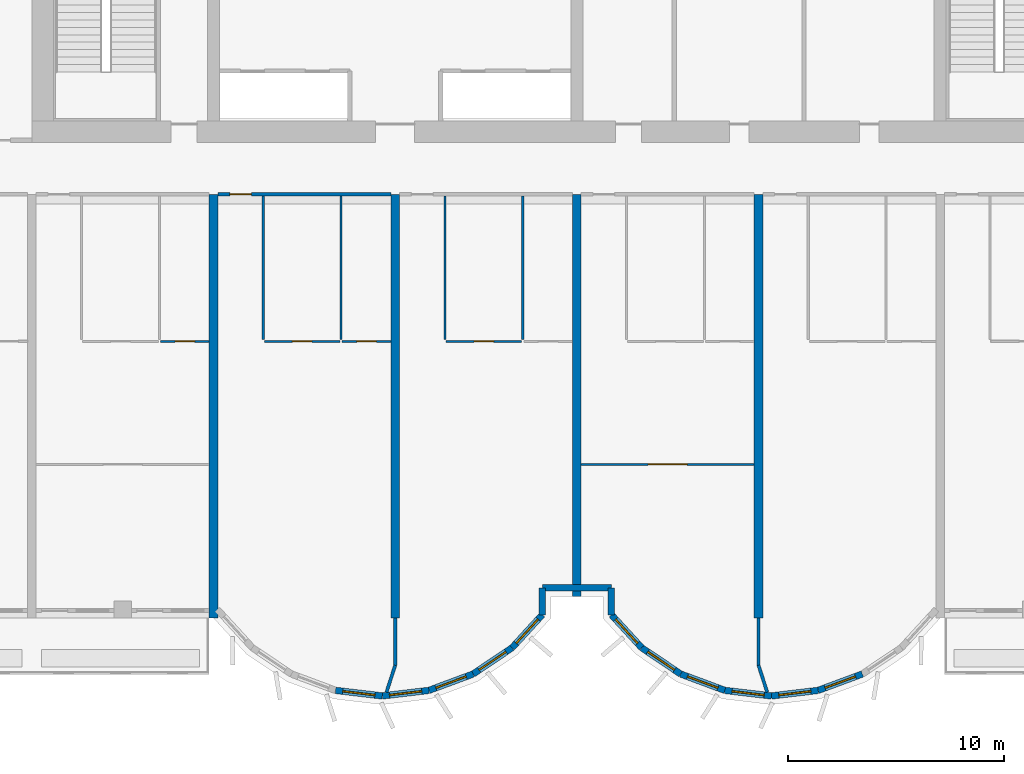
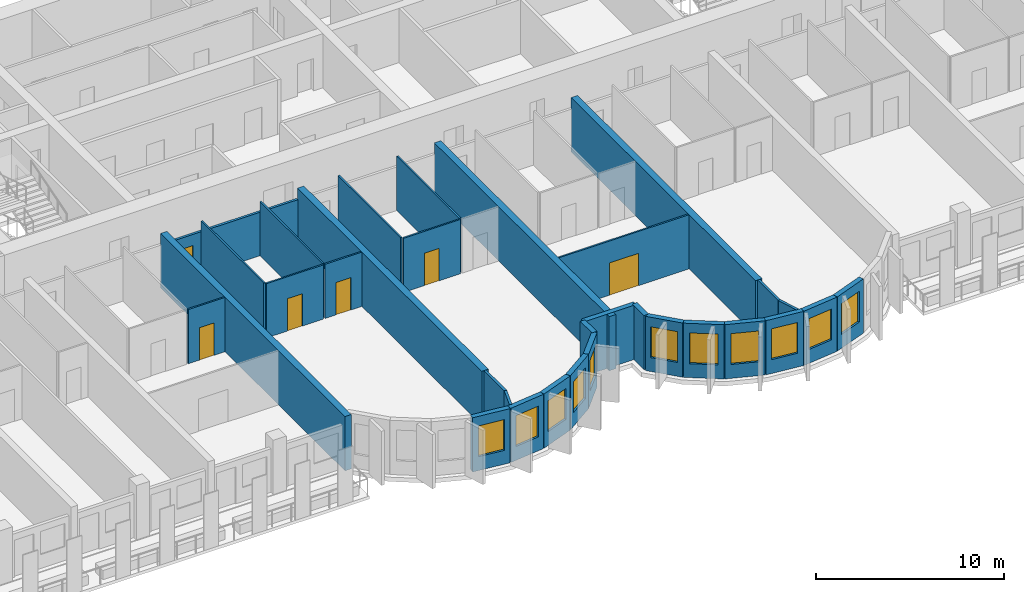
# One storey, part 4 of 15: 32 walls, 11 windows, 6 doors, 17 openings.
"""IFC4 building model written with IfcOpenShell, lengths in metres."""

from ifc_helpers import new_model, si_unit, direction, frame, frame_2d, origin, place, context, subcontext, project, spatial, rectangle, extrude, source, transform, mapped, material, layer, layer_set, type_object, element, fill, save


model = new_model("IFC4")

# Units and contexts
model_context = context("Model", 3, precision=1e-05, world=origin(), true_north=direction((0.0, 1.0)))
body_context = subcontext(model_context, "Body", "Model", "MODEL_VIEW")
ifc_project = project(units=[si_unit("LENGTHUNIT", "METRE"), si_unit("AREAUNIT", "SQUARE_METRE"), si_unit("VOLUMEUNIT", "CUBIC_METRE"), si_unit("PLANEANGLEUNIT", "RADIAN"), si_unit("MASSUNIT", "GRAM", prefix="KILO")], contexts=[model_context])

# Site, building, storey
site_placement = place(None, origin())
site = spatial("IfcSite", under=ifc_project, at=site_placement, CompositionType="ELEMENT")
building_placement = place(site_placement, origin())
building = spatial("IfcBuilding", under=site, at=building_placement, Name="Vanashikhar Sky Hotel", CompositionType="ELEMENT")
storey_placement = place(building_placement, frame((0.0, 0.0, 69.60009765625)))
storey = spatial("IfcBuildingStorey", under=building, at=storey_placement, Name="L16", CompositionType="ELEMENT", Elevation=69.60009765625)

# Walls
ifc_material_1 = material(Name="Concrete M80", Category="concrete")
ifc_layer_1 = layer(ifc_material_1, 0.39990234375)
ifc_layer_set_1 = layer_set([ifc_layer_1], Name="RC shear wall 400 Concrete M80")
wall_type_1 = type_object("IfcWallType", Name="RC shear wall 400 Concrete M80", PredefinedType="SHEAR", material=ifc_layer_set_1)
shared_shape_1 = source(origin(), body_context, "Body", "SweptSolid", [
    extrude(rectangle(XDim=19.60009765625, YDim=0.39990234375, at=frame_2d((9.800048828125, 0.0))), origin(), (0.0, 0.0, 1.0), 3.52001953125),
])
for number, where, z_axis, x_axis, name in (
    (1, (33.60009765625, 0.0, 0.0), (0.0, 0.0, 1.0), (0.0, 1.0, 0.0), "CW-L16-XW05-1"),
    (2, (42.0, 0.0, 0.0), (0.0, 0.0, 1.0), (0.0, 1.0, 0.0), "CW-L16-XW06-1"),
    (3, (58.800048828125, 0.0, 0.0), (0.0, 0.0, 1.0), (0.0, 1.0, 0.0), "CW-L16-XW08-1"),
):
    element("IfcWall", number, at=place(storey_placement, frame(where, z_axis=z_axis, x_axis=x_axis)), inside=storey, type_object=wall_type_1, Name=name, PredefinedType="SHEAR", context=body_context, shape_type="MappedRepresentation", body=[
        mapped(shared_shape_1, transform((0.0, 0.0, 0.0), scale=1.0)),
    ])
shared_shape_2 = source(origin(), body_context, "Body", "SweptSolid", [
    extrude(rectangle(XDim=18.60009765625, YDim=0.39990234375, at=frame_2d((9.300048828125, 0.0))), origin(), (0.0, 0.0, 1.0), 3.52001953125),
])
wall_1_placement = place(storey_placement, frame((50.39990234375, 1.0, 0.0), z_axis=(0.0, 0.0, 1.0), x_axis=(0.0, 1.0, 0.0)))
element("IfcWall", 4, at=wall_1_placement, inside=storey, type_object=wall_type_1, Name="CW-L16-XW07-1", PredefinedType="SHEAR", context=body_context, shape_type="MappedRepresentation", body=[
    mapped(shared_shape_2, transform((0.0, 0.0, 0.0), scale=1.0)),
])

# Wall, opening, window
ifc_material_2 = material(Name="Concrete M50", Category="concrete")
ifc_layer_2 = layer(ifc_material_2, 0.300048828125)
ifc_layer_set_2 = layer_set([ifc_layer_2], Name="Lobe wall 300")
wall_type_2 = type_object("IfcWallType", Name="Lobe wall 300", PredefinedType="SOLIDWALL", material=ifc_layer_set_2)
shared_shape_3 = source(origin(), body_context, "Body", "SweptSolid", [
    extrude(rectangle(XDim=2.17578125, YDim=0.300048828125, at=frame_2d((1.087890625, 0.0))), origin(), (0.0, 0.0, 1.0), 3.52001953125),
])
wall_2_placement = place(storey_placement, frame((45.59912109375, -2.58349609375, 0.0), z_axis=(0.0, 0.0, 1.0), x_axis=(0.829625727223, 0.558319937607, 0.0)))
wall_2 = element("IfcWall", 5, at=wall_2_placement, inside=storey, type_object=wall_type_2, Name="Lobe wall", PredefinedType="SOLIDWALL", context=body_context, shape_type="MappedRepresentation", body=[
    mapped(shared_shape_3, transform((0.0, 0.0, 0.0), scale=1.0)),
])
shared_shape_4 = source(origin(), body_context, "Body", "SweptSolid", [
    extrude(rectangle(XDim=1.5, YDim=2.0, at=frame_2d((0.75, 1.0))), frame((0.0, 0.16015625, 0.0), z_axis=(0.0, -1.0, 0.0), x_axis=(1.0, 0.0, 0.0)), (0.0, 0.0, 1.0), 0.320068359375),
])
opening_1_placement = place(wall_2_placement, frame((0.337890625, 0.0, 0.89990234375)))
opening_1 = element("IfcOpeningElement", 6, at=opening_1_placement, cuts=wall_2, Name="Opening WN-2", PredefinedType="OPENING", context=body_context, shape_type="MappedRepresentation", body=[
    mapped(shared_shape_4, transform((0.0, 0.0, 0.0), scale=1.0)),
])
ifc_material_3 = material(Name="Glass", Category="glass")
window_type = type_object("IfcWindowType", Name="Lobe window 1500 x 2000", PartitioningType="SINGLE_PANEL", PredefinedType="WINDOW", material=ifc_material_3)
shared_shape_5 = source(origin(), body_context, "Body", "SweptSolid", [
    extrude(rectangle(XDim=1.5, YDim=2.0, at=frame_2d((0.75, 1.0))), frame((0.0, 0.030029296875, 0.0), z_axis=(0.0, -1.0, 0.0), x_axis=(1.0, 0.0, 0.0)), (0.0, 0.0, 1.0), 0.06005859375),
])
window_1_placement = place(opening_1_placement, origin())
window_1 = element("IfcWindow", 7, at=window_1_placement, inside=storey, type_object=window_type, Name="Window WN-2", OverallHeight=2.0, OverallWidth=1.5, PartitioningType="SINGLE_PANEL", PredefinedType="WINDOW", context=body_context, shape_type="MappedRepresentation", body=[
    mapped(shared_shape_5, transform((0.0, 0.0, 0.0), scale=1.0)),
])
fill(opening_1, window_1)

wall_3_placement = place(storey_placement, frame((53.395751953125, -1.36865234375, 0.0), z_axis=(0.0, 0.0, 1.0), x_axis=(0.829590746428, -0.558371913192, 0.0)))
wall_3 = element("IfcWall", 8, at=wall_3_placement, inside=storey, type_object=wall_type_2, Name="Lobe wall", PredefinedType="SOLIDWALL", context=body_context, shape_type="MappedRepresentation", body=[
    mapped(shared_shape_3, transform((0.0, 0.0, 0.0), scale=1.0)),
])
opening_2_placement = place(wall_3_placement, frame((0.337890625, 0.0, 0.89990234375)))
opening_2 = element("IfcOpeningElement", 9, at=opening_2_placement, cuts=wall_3, Name="Opening WN-2", PredefinedType="OPENING", context=body_context, shape_type="MappedRepresentation", body=[
    mapped(shared_shape_4, transform((0.0, 0.0, 0.0), scale=1.0)),
])
window_2_placement = place(opening_2_placement, origin())
window_2 = element("IfcWindow", 10, at=window_2_placement, inside=storey, type_object=window_type, Name="Window WN-2", OverallHeight=2.0, OverallWidth=1.5, PartitioningType="SINGLE_PANEL", PredefinedType="WINDOW", context=body_context, shape_type="MappedRepresentation", body=[
    mapped(shared_shape_5, transform((0.0, 0.0, 0.0), scale=1.0)),
])
fill(opening_2, window_2)

wall_4_placement = place(storey_placement, frame((55.20068359375, -2.58349609375, 0.0), z_axis=(0.0, 0.0, 1.0), x_axis=(0.93754555999, -0.347862505801, 0.0)))
wall_4 = element("IfcWall", 11, at=wall_4_placement, inside=storey, type_object=wall_type_2, Name="Lobe wall", PredefinedType="SOLIDWALL", context=body_context, shape_type="MappedRepresentation", body=[
    mapped(shared_shape_3, transform((0.0, 0.0, 0.0), scale=1.0)),
])
opening_3_placement = place(wall_4_placement, frame((0.337890625, 0.0, 0.89990234375)))
opening_3 = element("IfcOpeningElement", 12, at=opening_3_placement, cuts=wall_4, Name="Opening WN-2", PredefinedType="OPENING", context=body_context, shape_type="MappedRepresentation", body=[
    mapped(shared_shape_4, transform((0.0, 0.0, 0.0), scale=1.0)),
])
window_3_placement = place(opening_3_placement, origin())
window_3 = element("IfcWindow", 13, at=window_3_placement, inside=storey, type_object=window_type, Name="Window WN-2", OverallHeight=2.0, OverallWidth=1.5, PartitioningType="SINGLE_PANEL", PredefinedType="WINDOW", context=body_context, shape_type="MappedRepresentation", body=[
    mapped(shared_shape_5, transform((0.0, 0.0, 0.0), scale=1.0)),
])
fill(opening_3, window_3)

shared_shape_6 = source(origin(), body_context, "Body", "SweptSolid", [
    extrude(rectangle(XDim=2.174560546875, YDim=0.300048828125, at=frame_2d((1.08740234375, 0.0))), origin(), (0.0, 0.0, 1.0), 3.52001953125),
])
wall_5_placement = place(storey_placement, frame((39.240478515625, -3.34033203125, 0.0), z_axis=(0.0, 0.0, 1.0), x_axis=(0.993001132889, -0.118104826659, 0.0)))
wall_5 = element("IfcWall", 14, at=wall_5_placement, inside=storey, type_object=wall_type_2, Name="Lobe wall", PredefinedType="SOLIDWALL", context=body_context, shape_type="MappedRepresentation", body=[
    mapped(shared_shape_6, transform((0.0, 0.0, 0.0), scale=1.0)),
])
opening_4_placement = place(wall_5_placement, frame((0.33740234375, 0.0, 0.89990234375)))
opening_4 = element("IfcOpeningElement", 15, at=opening_4_placement, cuts=wall_5, Name="Opening WN-2", PredefinedType="OPENING", context=body_context, shape_type="MappedRepresentation", body=[
    mapped(shared_shape_4, transform((0.0, 0.0, 0.0), scale=1.0)),
])
window_4_placement = place(opening_4_placement, origin())
window_4 = element("IfcWindow", 16, at=window_4_placement, inside=storey, type_object=window_type, Name="Window WN-2", OverallHeight=2.0, OverallWidth=1.5, PartitioningType="SINGLE_PANEL", PredefinedType="WINDOW", context=body_context, shape_type="MappedRepresentation", body=[
    mapped(shared_shape_5, transform((0.0, 0.0, 0.0), scale=1.0)),
])
fill(opening_4, window_4)

wall_6_placement = place(storey_placement, frame((57.240478515625, -3.34033203125, 0.0), z_axis=(0.0, 0.0, 1.0), x_axis=(0.993001132889, -0.118104826659, 0.0)))
wall_6 = element("IfcWall", 17, at=wall_6_placement, inside=storey, type_object=wall_type_2, Name="Lobe wall", PredefinedType="SOLIDWALL", context=body_context, shape_type="MappedRepresentation", body=[
    mapped(shared_shape_6, transform((0.0, 0.0, 0.0), scale=1.0)),
])
opening_5_placement = place(wall_6_placement, frame((0.33740234375, 0.0, 0.89990234375)))
opening_5 = element("IfcOpeningElement", 18, at=opening_5_placement, cuts=wall_6, Name="Opening WN-2", PredefinedType="OPENING", context=body_context, shape_type="MappedRepresentation", body=[
    mapped(shared_shape_4, transform((0.0, 0.0, 0.0), scale=1.0)),
])
window_5_placement = place(opening_5_placement, origin())
window_5 = element("IfcWindow", 19, at=window_5_placement, inside=storey, type_object=window_type, Name="Window WN-2", OverallHeight=2.0, OverallWidth=1.5, PartitioningType="SINGLE_PANEL", PredefinedType="WINDOW", context=body_context, shape_type="MappedRepresentation", body=[
    mapped(shared_shape_5, transform((0.0, 0.0, 0.0), scale=1.0)),
])
fill(opening_5, window_5)

shared_shape_7 = source(origin(), body_context, "Body", "SweptSolid", [
    extrude(rectangle(XDim=2.1748046875, YDim=0.300048828125, at=frame_2d((1.08740234375, 0.0))), origin(), (0.0, 0.0, 1.0), 3.52001953125),
])
wall_7_placement = place(storey_placement, frame((41.39990234375, -3.59716796875, 0.0), z_axis=(0.0, 0.0, 1.0), x_axis=(0.993002698611, 0.118091661648, 0.0)))
wall_7 = element("IfcWall", 20, at=wall_7_placement, inside=storey, type_object=wall_type_2, Name="Lobe wall", PredefinedType="SOLIDWALL", context=body_context, shape_type="MappedRepresentation", body=[
    mapped(shared_shape_7, transform((0.0, 0.0, 0.0), scale=1.0)),
])
opening_6_placement = place(wall_7_placement, frame((0.33740234375, 0.0, 0.89990234375)))
opening_6 = element("IfcOpeningElement", 21, at=opening_6_placement, cuts=wall_7, Name="Opening WN-2", PredefinedType="OPENING", context=body_context, shape_type="MappedRepresentation", body=[
    mapped(shared_shape_4, transform((0.0, 0.0, 0.0), scale=1.0)),
])
window_6_placement = place(opening_6_placement, origin())
window_6 = element("IfcWindow", 22, at=window_6_placement, inside=storey, type_object=window_type, Name="Window WN-2", OverallHeight=2.0, OverallWidth=1.5, PartitioningType="SINGLE_PANEL", PredefinedType="WINDOW", context=body_context, shape_type="MappedRepresentation", body=[
    mapped(shared_shape_5, transform((0.0, 0.0, 0.0), scale=1.0)),
])
fill(opening_6, window_6)

wall_8_placement = place(storey_placement, frame((59.39990234375, -3.59716796875, 0.0), z_axis=(0.0, 0.0, 1.0), x_axis=(0.993002698611, 0.118091661648, 0.0)))
wall_8 = element("IfcWall", 23, at=wall_8_placement, inside=storey, type_object=wall_type_2, Name="Lobe wall", PredefinedType="SOLIDWALL", context=body_context, shape_type="MappedRepresentation", body=[
    mapped(shared_shape_7, transform((0.0, 0.0, 0.0), scale=1.0)),
])
opening_7_placement = place(wall_8_placement, frame((0.33740234375, 0.0, 0.89990234375)))
opening_7 = element("IfcOpeningElement", 24, at=opening_7_placement, cuts=wall_8, Name="Opening WN-2", PredefinedType="OPENING", context=body_context, shape_type="MappedRepresentation", body=[
    mapped(shared_shape_4, transform((0.0, 0.0, 0.0), scale=1.0)),
])
window_7_placement = place(opening_7_placement, origin())
window_7 = element("IfcWindow", 25, at=window_7_placement, inside=storey, type_object=window_type, Name="Window WN-2", OverallHeight=2.0, OverallWidth=1.5, PartitioningType="SINGLE_PANEL", PredefinedType="WINDOW", context=body_context, shape_type="MappedRepresentation", body=[
    mapped(shared_shape_5, transform((0.0, 0.0, 0.0), scale=1.0)),
])
fill(opening_7, window_7)

shared_shape_8 = source(origin(), body_context, "Body", "SweptSolid", [
    extrude(rectangle(XDim=2.175537109375, YDim=0.300048828125, at=frame_2d((1.087890625, 0.0))), origin(), (0.0, 0.0, 1.0), 3.52001953125),
])
wall_9_placement = place(storey_placement, frame((43.5595703125, -3.34033203125, 0.0), z_axis=(0.0, 0.0, 1.0), x_axis=(0.937531979054, 0.347899106424, 0.0)))
wall_9 = element("IfcWall", 26, at=wall_9_placement, inside=storey, type_object=wall_type_2, Name="Lobe wall", PredefinedType="SOLIDWALL", context=body_context, shape_type="MappedRepresentation", body=[
    mapped(shared_shape_8, transform((0.0, 0.0, 0.0), scale=1.0)),
])
opening_8_placement = place(wall_9_placement, frame((0.337890625, 0.0, 0.89990234375)))
opening_8 = element("IfcOpeningElement", 27, at=opening_8_placement, cuts=wall_9, Name="Opening WN-2", PredefinedType="OPENING", context=body_context, shape_type="MappedRepresentation", body=[
    mapped(shared_shape_4, transform((0.0, 0.0, 0.0), scale=1.0)),
])
window_8_placement = place(opening_8_placement, origin())
window_8 = element("IfcWindow", 28, at=window_8_placement, inside=storey, type_object=window_type, Name="Window WN-2", OverallHeight=2.0, OverallWidth=1.5, PartitioningType="SINGLE_PANEL", PredefinedType="WINDOW", context=body_context, shape_type="MappedRepresentation", body=[
    mapped(shared_shape_5, transform((0.0, 0.0, 0.0), scale=1.0)),
])
fill(opening_8, window_8)

wall_10_placement = place(storey_placement, frame((61.5595703125, -3.34033203125, 0.0), z_axis=(0.0, 0.0, 1.0), x_axis=(0.937531979054, 0.347899106424, 0.0)))
wall_10 = element("IfcWall", 29, at=wall_10_placement, inside=storey, type_object=wall_type_2, Name="Lobe wall", PredefinedType="SOLIDWALL", context=body_context, shape_type="MappedRepresentation", body=[
    mapped(shared_shape_8, transform((0.0, 0.0, 0.0), scale=1.0)),
])
opening_9_placement = place(wall_10_placement, frame((0.337890625, 0.0, 0.89990234375)))
opening_9 = element("IfcOpeningElement", 30, at=opening_9_placement, cuts=wall_10, Name="Opening WN-2", PredefinedType="OPENING", context=body_context, shape_type="MappedRepresentation", body=[
    mapped(shared_shape_4, transform((0.0, 0.0, 0.0), scale=1.0)),
])
window_9_placement = place(opening_9_placement, origin())
window_9 = element("IfcWindow", 31, at=window_9_placement, inside=storey, type_object=window_type, Name="Window WN-2", OverallHeight=2.0, OverallWidth=1.5, PartitioningType="SINGLE_PANEL", PredefinedType="WINDOW", context=body_context, shape_type="MappedRepresentation", body=[
    mapped(shared_shape_5, transform((0.0, 0.0, 0.0), scale=1.0)),
])
fill(opening_9, window_9)

shared_shape_9 = source(origin(), body_context, "Body", "SweptSolid", [
    extrude(rectangle(XDim=2.066650390625, YDim=0.300048828125, at=frame_2d((1.033203125, 0.0))), origin(), (0.0, 0.0, 1.0), 3.52001953125),
])
wall_11_placement = place(storey_placement, frame((47.404296875, -1.36865234375, 0.0), z_axis=(0.0, 0.0, 1.0), x_axis=(0.675355439877, 0.737492393065, 0.0)))
wall_11 = element("IfcWall", 32, at=wall_11_placement, inside=storey, type_object=wall_type_2, Name="Lobe wall", PredefinedType="SOLIDWALL", context=body_context, shape_type="MappedRepresentation", body=[
    mapped(shared_shape_9, transform((0.0, 0.0, 0.0), scale=1.0)),
])
opening_10_placement = place(wall_11_placement, frame((0.283447265625, 0.0, 0.89990234375)))
opening_10 = element("IfcOpeningElement", 33, at=opening_10_placement, cuts=wall_11, Name="Opening WN-2", PredefinedType="OPENING", context=body_context, shape_type="MappedRepresentation", body=[
    mapped(shared_shape_4, transform((0.0, 0.0, 0.0), scale=1.0)),
])
window_10_placement = place(opening_10_placement, origin())
window_10 = element("IfcWindow", 34, at=window_10_placement, inside=storey, type_object=window_type, Name="Window WN-2", OverallHeight=2.0, OverallWidth=1.5, PartitioningType="SINGLE_PANEL", PredefinedType="WINDOW", context=body_context, shape_type="MappedRepresentation", body=[
    mapped(shared_shape_5, transform((0.0, 0.0, 0.0), scale=1.0)),
])
fill(opening_10, window_10)

wall_12_placement = place(storey_placement, frame((52.0, 0.155517578125, 0.0), z_axis=(0.0, 0.0, 1.0), x_axis=(0.675355439877, -0.737492393065, 0.0)))
wall_12 = element("IfcWall", 35, at=wall_12_placement, inside=storey, type_object=wall_type_2, Name="Lobe wall", PredefinedType="SOLIDWALL", context=body_context, shape_type="MappedRepresentation", body=[
    mapped(shared_shape_9, transform((0.0, 0.0, 0.0), scale=1.0)),
])
opening_11_placement = place(wall_12_placement, frame((0.283447265625, 0.0, 0.89990234375)))
opening_11 = element("IfcOpeningElement", 36, at=opening_11_placement, cuts=wall_12, Name="Opening WN-2", PredefinedType="OPENING", context=body_context, shape_type="MappedRepresentation", body=[
    mapped(shared_shape_4, transform((0.0, 0.0, 0.0), scale=1.0)),
])
window_11_placement = place(opening_11_placement, origin())
window_11 = element("IfcWindow", 37, at=window_11_placement, inside=storey, type_object=window_type, Name="Window WN-2", OverallHeight=2.0, OverallWidth=1.5, PartitioningType="SINGLE_PANEL", PredefinedType="WINDOW", context=body_context, shape_type="MappedRepresentation", body=[
    mapped(shared_shape_5, transform((0.0, 0.0, 0.0), scale=1.0)),
])
fill(opening_11, window_11)

# Walls
shared_shape_10 = source(origin(), body_context, "Body", "SweptSolid", [
    extrude(rectangle(XDim=1.244384765625, YDim=0.300048828125, at=frame_2d((0.6220703125, 0.0))), origin(), (0.0, 0.0, 1.0), 3.52001953125),
])
for number, where, z_axis, x_axis, name in (
    (38, (48.800048828125, 0.155517578125, 0.0), (0.0, 0.0, 1.0), (0.0, 1.0, 0.0), "Groove wall"),
    (39, (52.0, 1.39990234375, 0.0), (0.0, 0.0, 1.0), (0.0, -1.0, 0.0), "Groove wall"),
):
    element("IfcWall", number, at=place(storey_placement, frame(where, z_axis=z_axis, x_axis=x_axis)), inside=storey, type_object=wall_type_2, Name=name, PredefinedType="SOLIDWALL", context=body_context, shape_type="MappedRepresentation", body=[
        mapped(shared_shape_10, transform((0.0, 0.0, 0.0), scale=1.0)),
    ])
shared_shape_11 = source(origin(), body_context, "Body", "SweptSolid", [
    extrude(rectangle(XDim=3.199951171875, YDim=0.300048828125, at=frame_2d((1.60009765625, 0.0))), origin(), (0.0, 0.0, 1.0), 3.52001953125),
])
wall_13_placement = place(storey_placement, frame((48.800048828125, 1.39990234375, 0.0), z_axis=(0.0, 0.0, 1.0), x_axis=(1.0, 0.0, 0.0)))
element("IfcWall", 40, at=wall_13_placement, inside=storey, type_object=wall_type_2, Name="Groove wall", PredefinedType="SOLIDWALL", context=body_context, shape_type="MappedRepresentation", body=[
    mapped(shared_shape_11, transform((0.0, 0.0, 0.0), scale=1.0)),
])
ifc_material_4 = material(Name="Gypsum plasterboard partition")
ifc_layer_3 = layer(ifc_material_4, 0.14990234375)
ifc_layer_set_3 = layer_set([ifc_layer_3], Name="Corridor and demising partition 150")
wall_type_3 = type_object("IfcWallType", Name="Corridor and demising partition 150", PredefinedType="PARTITIONING", material=ifc_layer_set_3)
shared_shape_12 = source(origin(), body_context, "Body", "SweptSolid", [
    extrude(rectangle(XDim=2.177978515625, YDim=0.14990234375, at=frame_2d((1.0888671875, 0.0))), origin(), (0.0, 0.0, 1.0), 3.52001953125),
])
for number, where, z_axis, x_axis, name in (
    (41, (42.0, -2.177978515625, 0.0), (0.0, 0.0, 1.0), (0.0, 1.0, 0.0), "W-L16-PW068"),
    (42, (58.800048828125, -2.177978515625, 0.0), (0.0, 0.0, 1.0), (0.0, 1.0, 0.0), "W-L16-PW069"),
):
    element("IfcWall", number, at=place(storey_placement, frame(where, z_axis=z_axis, x_axis=x_axis)), inside=storey, type_object=wall_type_3, Name=name, PredefinedType="PARTITIONING", context=body_context, shape_type="MappedRepresentation", body=[
        mapped(shared_shape_12, transform((0.0, 0.0, 0.0), scale=1.0)),
    ])

# Wall, opening, door
ifc_layer_4 = layer(ifc_material_4, 0.10009765625)
ifc_layer_set_4 = layer_set([ifc_layer_4], Name="Wet room partition 100")
wall_type_4 = type_object("IfcWallType", Name="Wet room partition 100", PredefinedType="PARTITIONING", material=ifc_layer_set_4)
shared_shape_13 = source(origin(), body_context, "Body", "SweptSolid", [
    extrude(rectangle(XDim=3.5, YDim=0.10009765625, at=frame_2d((1.75, 0.0))), origin(), (0.0, 0.0, 1.0), 3.52001953125),
])
wall_14_placement = place(storey_placement, frame((35.949951171875, 12.800048828125, 0.0), z_axis=(0.0, 0.0, 1.0), x_axis=(1.0, 0.0, 0.0)))
wall_14 = element("IfcWall", 43, at=wall_14_placement, inside=storey, type_object=wall_type_4, Name="W-L16-PW026", PredefinedType="PARTITIONING", context=body_context, shape_type="MappedRepresentation", body=[
    mapped(shared_shape_13, transform((0.0, 0.0, 0.0), scale=1.0)),
])
shared_shape_14 = source(origin(), body_context, "Body", "SweptSolid", [
    extrude(rectangle(XDim=0.89990234375, YDim=2.10009765625, at=frame_2d((0.449951171875, 1.050048828125))), frame((0.0, 0.06005859375, 0.0), z_axis=(0.0, -1.0, 0.0), x_axis=(1.0, 0.0, 0.0)), (0.0, 0.0, 1.0), 0.1201171875),
])
opening_12_placement = place(wall_14_placement, frame((1.300048828125, 0.0, 0.0)))
opening_12 = element("IfcOpeningElement", 44, at=opening_12_placement, cuts=wall_14, Name="Opening D-02", PredefinedType="OPENING", context=body_context, shape_type="MappedRepresentation", body=[
    mapped(shared_shape_14, transform((0.0, 0.0, 0.0), scale=1.0)),
])
ifc_material_5 = material(Name="Timber door", Category="wood")
door_type_1 = type_object("IfcDoorType", Name="Internal door 900", OperationType="NOTDEFINED", PredefinedType="DOOR", material=ifc_material_5)
shared_shape_15 = source(origin(), body_context, "Body", "SweptSolid", [
    extrude(rectangle(XDim=0.89990234375, YDim=2.10009765625, at=frame_2d((0.449951171875, 1.050048828125))), frame((0.0, 0.02490234375, 0.0), z_axis=(0.0, -1.0, 0.0), x_axis=(1.0, 0.0, 0.0)), (0.0, 0.0, 1.0), 0.050048828125),
])
door_1_placement = place(opening_12_placement, origin())
door_1 = element("IfcDoor", 45, at=door_1_placement, inside=storey, type_object=door_type_1, Name="D-L16-015", OperationType="SINGLE_SWING_LEFT", OverallHeight=2.10009765625, OverallWidth=0.89990234375, PredefinedType="DOOR", context=body_context, shape_type="MappedRepresentation", body=[
    mapped(shared_shape_15, transform((0.0, 0.0, 0.0), scale=1.0)),
])
fill(opening_12, door_1)

wall_15_placement = place(storey_placement, frame((44.35009765625, 12.800048828125, 0.0), z_axis=(0.0, 0.0, 1.0), x_axis=(1.0, 0.0, 0.0)))
wall_15 = element("IfcWall", 46, at=wall_15_placement, inside=storey, type_object=wall_type_4, Name="W-L16-PW031", PredefinedType="PARTITIONING", context=body_context, shape_type="MappedRepresentation", body=[
    mapped(shared_shape_13, transform((0.0, 0.0, 0.0), scale=1.0)),
])
opening_13_placement = place(wall_15_placement, frame((1.300048828125, 0.0, 0.0)))
opening_13 = element("IfcOpeningElement", 47, at=opening_13_placement, cuts=wall_15, Name="Opening D-02", PredefinedType="OPENING", context=body_context, shape_type="MappedRepresentation", body=[
    mapped(shared_shape_14, transform((0.0, 0.0, 0.0), scale=1.0)),
])
door_2_placement = place(opening_13_placement, origin())
door_2 = element("IfcDoor", 48, at=door_2_placement, inside=storey, type_object=door_type_1, Name="D-L16-018", OperationType="SINGLE_SWING_LEFT", OverallHeight=2.10009765625, OverallWidth=0.89990234375, PredefinedType="DOOR", context=body_context, shape_type="MappedRepresentation", body=[
    mapped(shared_shape_15, transform((0.0, 0.0, 0.0), scale=1.0)),
])
fill(opening_13, door_2)

# Walls
shared_shape_16 = source(origin(), body_context, "Body", "SweptSolid", [
    extrude(rectangle(XDim=1.308349609375, YDim=0.14990234375, at=frame_2d((0.654296875, 0.0))), origin(), (0.0, 0.0, 1.0), 3.52001953125),
])
for number, where, z_axis, x_axis, name in (
    (49, (41.597900390625, -3.423095703125, 0.0), (0.0, 0.0, 1.0), (0.307313512187, 0.951608325535, 0.0), "W-L16-PW068B0"),
    (50, (59.201904296875, -3.423095703125, 0.0), (0.0, 0.0, 1.0), (-0.307144529633, 0.951662880392, 0.0), "W-L16-PW069B0"),
):
    element("IfcWall", number, at=place(storey_placement, frame(where, z_axis=z_axis, x_axis=x_axis)), inside=storey, type_object=wall_type_3, Name=name, PredefinedType="PARTITIONING", context=body_context, shape_type="MappedRepresentation", body=[
        mapped(shared_shape_16, transform((0.0, 0.0, 0.0), scale=1.0)),
    ])

# Wall, opening, door
shared_shape_17 = source(origin(), body_context, "Body", "SweptSolid", [
    extrude(rectangle(XDim=8.0, YDim=0.10009765625, at=frame_2d((4.0, 0.0))), origin(), (0.0, 0.0, 1.0), 3.52001953125),
])
wall_16_placement = place(storey_placement, frame((50.60009765625, 7.10791015625, 0.0), z_axis=(0.0, 0.0, 1.0), x_axis=(1.0, 0.0, 0.0)))
wall_16 = element("IfcWall", 51, at=wall_16_placement, inside=storey, type_object=wall_type_4, Name="W-L16-PW038", PredefinedType="PARTITIONING", context=body_context, shape_type="MappedRepresentation", body=[
    mapped(shared_shape_17, transform((0.0, 0.0, 0.0), scale=1.0)),
])
shared_shape_18 = source(origin(), body_context, "Body", "SweptSolid", [
    extrude(rectangle(XDim=1.800048828125, YDim=2.10009765625, at=frame_2d((0.89990234375, 1.050048828125))), frame((0.0, 0.06005859375, 0.0), z_axis=(0.0, -1.0, 0.0), x_axis=(1.0, 0.0, 0.0)), (0.0, 0.0, 1.0), 0.1201171875),
])
opening_14_placement = place(wall_16_placement, frame((3.10009765625, 0.0, 0.0)))
opening_14 = element("IfcOpeningElement", 52, at=opening_14_placement, cuts=wall_16, Name="Opening D-08", PredefinedType="OPENING", context=body_context, shape_type="MappedRepresentation", body=[
    mapped(shared_shape_18, transform((0.0, 0.0, 0.0), scale=1.0)),
])
door_type_2 = type_object("IfcDoorType", Name="Double leaf door 1800", OperationType="NOTDEFINED", PredefinedType="DOOR", material=ifc_material_5)
shared_shape_19 = source(origin(), body_context, "Body", "SweptSolid", [
    extrude(rectangle(XDim=1.800048828125, YDim=2.10009765625, at=frame_2d((0.89990234375, 1.050048828125))), frame((0.0, 0.02490234375, 0.0), z_axis=(0.0, -1.0, 0.0), x_axis=(1.0, 0.0, 0.0)), (0.0, 0.0, 1.0), 0.050048828125),
])
door_3_placement = place(opening_14_placement, origin())
door_3 = element("IfcDoor", 53, at=door_3_placement, inside=storey, type_object=door_type_2, Name="D-L16-023", OperationType="DOUBLE_DOOR_SINGLE_SWING", OverallHeight=2.10009765625, OverallWidth=1.800048828125, PredefinedType="DOOR", context=body_context, shape_type="MappedRepresentation", body=[
    mapped(shared_shape_19, transform((0.0, 0.0, 0.0), scale=1.0)),
])
fill(opening_14, door_3)

shared_shape_20 = source(origin(), body_context, "Body", "SweptSolid", [
    extrude(rectangle(XDim=8.0, YDim=0.14990234375, at=frame_2d((4.0, 0.0))), origin(), (0.0, 0.0, 1.0), 2.81982421875),
])
wall_17_placement = place(storey_placement, frame((33.800048828125, 19.60009765625, 0.0), z_axis=(0.0, 0.0, 1.0), x_axis=(1.0, 0.0, 0.0)))
wall_17 = element("IfcWall", 54, at=wall_17_placement, inside=storey, type_object=wall_type_3, Name="W-L16-PW028", PredefinedType="PARTITIONING", context=body_context, shape_type="MappedRepresentation", body=[
    mapped(shared_shape_20, transform((0.0, 0.0, 0.0), scale=1.0)),
])
shared_shape_21 = source(origin(), body_context, "Body", "SweptSolid", [
    extrude(rectangle(XDim=1.0, YDim=2.10009765625, at=frame_2d((0.5, 1.050048828125))), frame((0.0, 0.0849609375, 0.0), z_axis=(0.0, -1.0, 0.0), x_axis=(1.0, 0.0, 0.0)), (0.0, 0.0, 1.0), 0.169921875),
])
opening_15_placement = place(wall_17_placement, frame((0.550048828125, 0.0, 0.0)))
opening_15 = element("IfcOpeningElement", 55, at=opening_15_placement, cuts=wall_17, Name="Opening D-01", PredefinedType="OPENING", context=body_context, shape_type="MappedRepresentation", body=[
    mapped(shared_shape_21, transform((0.0, 0.0, 0.0), scale=1.0)),
])
ifc_material_6 = material(Name="Timber fire door", Category="wood")
door_type_3 = type_object("IfcDoorType", Name="Guest entry door 1000 FD30S", OperationType="NOTDEFINED", PredefinedType="DOOR", material=ifc_material_6)
shared_shape_22 = source(origin(), body_context, "Body", "SweptSolid", [
    extrude(rectangle(XDim=1.0, YDim=2.10009765625, at=frame_2d((0.5, 1.050048828125))), frame((0.0, 0.02490234375, 0.0), z_axis=(0.0, -1.0, 0.0), x_axis=(1.0, 0.0, 0.0)), (0.0, 0.0, 1.0), 0.050048828125),
])
door_4_placement = place(opening_15_placement, origin())
door_4 = element("IfcDoor", 56, at=door_4_placement, inside=storey, type_object=door_type_3, Name="D-L16-017", OperationType="SINGLE_SWING_LEFT", OverallHeight=2.10009765625, OverallWidth=1.0, PredefinedType="DOOR", context=body_context, shape_type="MappedRepresentation", body=[
    mapped(shared_shape_22, transform((0.0, 0.0, 0.0), scale=1.0)),
])
fill(opening_15, door_4)

# Walls
shared_shape_23 = source(origin(), body_context, "Body", "SweptSolid", [
    extrude(rectangle(XDim=6.64990234375, YDim=0.10009765625, at=frame_2d((3.324951171875, 0.0))), origin(), (0.0, 0.0, 1.0), 3.52001953125),
])
for number, where, z_axis, x_axis, name in (
    (57, (35.89990234375, 12.875, 0.0), (0.0, 0.0, 1.0), (0.0, 1.0, 0.0), "W-L16-PW024"),
    (58, (39.5, 12.875, 0.0), (0.0, 0.0, 1.0), (0.0, 1.0, 0.0), "W-L16-PW025"),
    (59, (44.300048828125, 12.875, 0.0), (0.0, 0.0, 1.0), (0.0, 1.0, 0.0), "W-L16-PW029"),
    (60, (47.89990234375, 12.875, 0.0), (0.0, 0.0, 1.0), (0.0, 1.0, 0.0), "W-L16-PW030"),
):
    element("IfcWall", number, at=place(storey_placement, frame(where, z_axis=z_axis, x_axis=x_axis)), inside=storey, type_object=wall_type_4, Name=name, PredefinedType="PARTITIONING", context=body_context, shape_type="MappedRepresentation", body=[
        mapped(shared_shape_23, transform((0.0, 0.0, 0.0), scale=1.0)),
    ])

# Wall, opening, door
shared_shape_24 = source(origin(), body_context, "Body", "SweptSolid", [
    extrude(rectangle(XDim=2.25, YDim=0.10009765625, at=frame_2d((1.125, 0.0))), origin(), (0.0, 0.0, 1.0), 3.52001953125),
])
wall_18_placement = place(storey_placement, frame((31.14990234375, 12.800048828125, 0.0), z_axis=(0.0, 0.0, 1.0), x_axis=(1.0, 0.0, 0.0)))
wall_18 = element("IfcWall", 61, at=wall_18_placement, inside=storey, type_object=wall_type_4, Name="W-L16-PW021", PredefinedType="PARTITIONING", context=body_context, shape_type="MappedRepresentation", body=[
    mapped(shared_shape_24, transform((0.0, 0.0, 0.0), scale=1.0)),
])
opening_16_placement = place(wall_18_placement, frame((0.675048828125, 0.0, 0.0)))
opening_16 = element("IfcOpeningElement", 62, at=opening_16_placement, cuts=wall_18, Name="Opening D-02", PredefinedType="OPENING", context=body_context, shape_type="MappedRepresentation", body=[
    mapped(shared_shape_14, transform((0.0, 0.0, 0.0), scale=1.0)),
])
door_5_placement = place(opening_16_placement, origin())
door_5 = element("IfcDoor", 63, at=door_5_placement, inside=storey, type_object=door_type_1, Name="D-L16-012", OperationType="SINGLE_SWING_LEFT", OverallHeight=2.10009765625, OverallWidth=0.89990234375, PredefinedType="DOOR", context=body_context, shape_type="MappedRepresentation", body=[
    mapped(shared_shape_15, transform((0.0, 0.0, 0.0), scale=1.0)),
])
fill(opening_16, door_5)

wall_19_placement = place(storey_placement, frame((39.550048828125, 12.800048828125, 0.0), z_axis=(0.0, 0.0, 1.0), x_axis=(1.0, 0.0, 0.0)))
wall_19 = element("IfcWall", 64, at=wall_19_placement, inside=storey, type_object=wall_type_4, Name="W-L16-PW027", PredefinedType="PARTITIONING", context=body_context, shape_type="MappedRepresentation", body=[
    mapped(shared_shape_24, transform((0.0, 0.0, 0.0), scale=1.0)),
])
opening_17_placement = place(wall_19_placement, frame((0.675048828125, 0.0, 0.0)))
opening_17 = element("IfcOpeningElement", 65, at=opening_17_placement, cuts=wall_19, Name="Opening D-02", PredefinedType="OPENING", context=body_context, shape_type="MappedRepresentation", body=[
    mapped(shared_shape_14, transform((0.0, 0.0, 0.0), scale=1.0)),
])
door_6_placement = place(opening_17_placement, origin())
door_6 = element("IfcDoor", 66, at=door_6_placement, inside=storey, type_object=door_type_1, Name="D-L16-016", OperationType="SINGLE_SWING_LEFT", OverallHeight=2.10009765625, OverallWidth=0.89990234375, PredefinedType="DOOR", context=body_context, shape_type="MappedRepresentation", body=[
    mapped(shared_shape_15, transform((0.0, 0.0, 0.0), scale=1.0)),
])
fill(opening_17, door_6)

save(model, "model.ifc")
